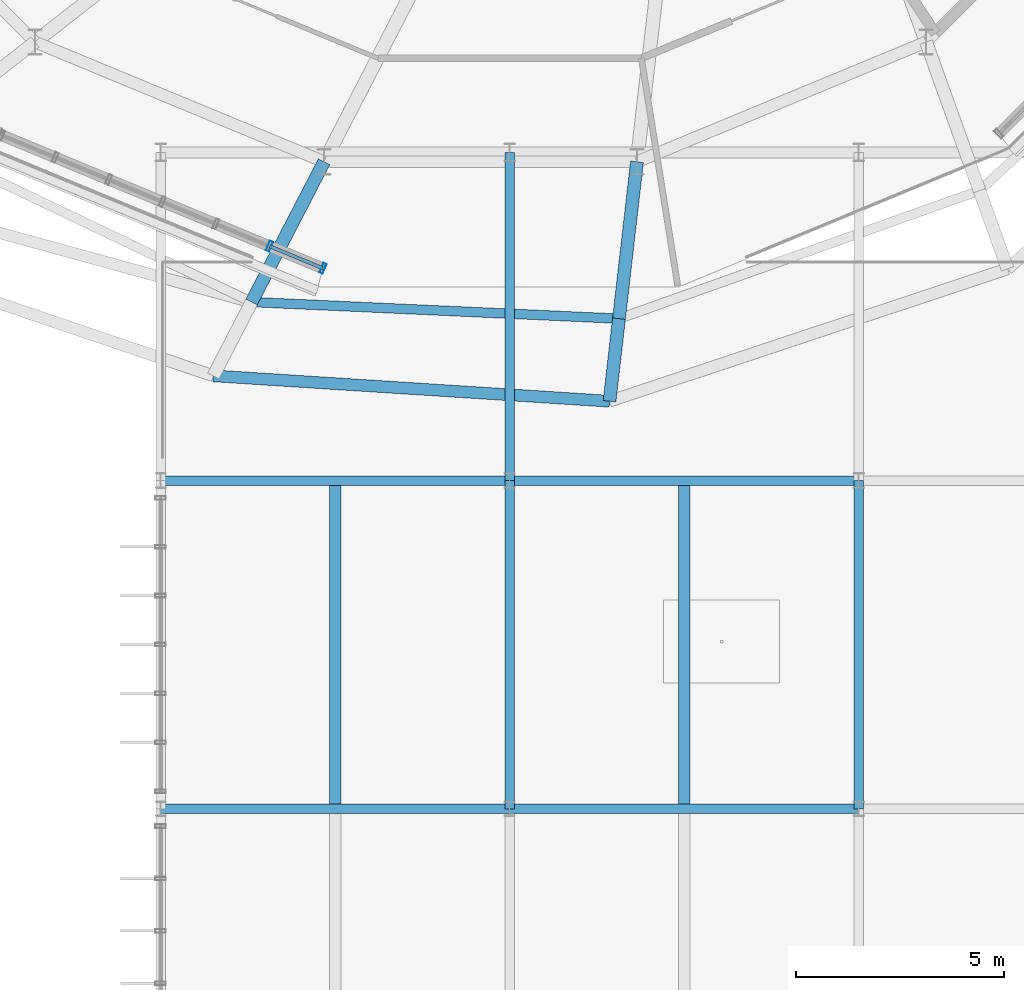
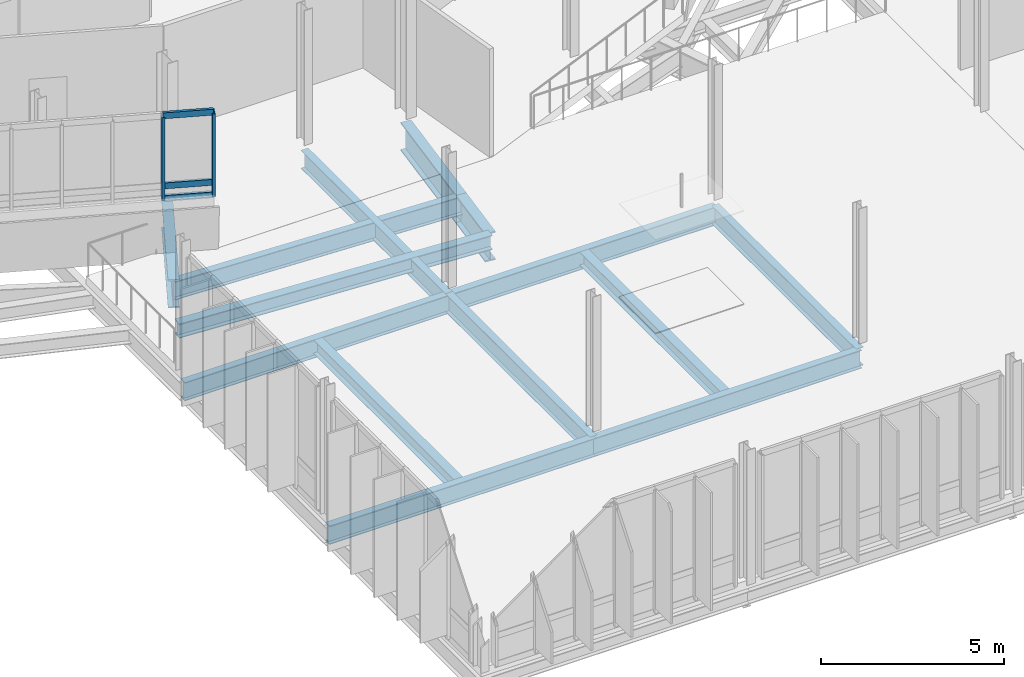
# One storey, part 29 of 139: 14 beams, 5 members, 1 element without a shape of its own.
"""IFC4 building model written with IfcOpenShell, lengths in metres."""

from ifc_helpers import new_model, si_unit, derived_unit, direction, frame, origin, origin_2d, place, context, subcontext, project, spatial, hollow_rectangle, i_section, extrude, material, layer, layer_set, material_profile, profile_set, type_object, element, aggregate, save


model = new_model("IFC4")

# Units and contexts
model_context = context("Model", 3, precision=1e-05, world=origin(), true_north=direction((0.0, 1.0)))
body_context = subcontext(model_context, "Body", "Model", "MODEL_VIEW")
ifc_project = project(units=[si_unit("LENGTHUNIT", "METRE"), si_unit("AREAUNIT", "SQUARE_METRE"), si_unit("VOLUMEUNIT", "CUBIC_METRE"), si_unit("PLANEANGLEUNIT", "RADIAN"), si_unit("MASSUNIT", "GRAM", prefix="KILO"), derived_unit("THERMALTRANSMITTANCEUNIT", [(si_unit("MASSUNIT", "GRAM", prefix="KILO"), 1), (si_unit("TIMEUNIT", "SECOND"), -3), (si_unit("THERMODYNAMICTEMPERATUREUNIT", "KELVIN"), -1)])], contexts=[model_context])

# Site, building, storey
site_placement = place(None, origin())
site = spatial("IfcSite", under=ifc_project, at=site_placement, CompositionType="ELEMENT")
building_placement = place(site_placement, origin())
building = spatial("IfcBuilding", under=site, at=building_placement, Name="Makaiwela Harbour Ferry Terminal", CompositionType="ELEMENT")
storey_placement = place(building_placement, frame((0.0, 0.0, 5.10009765625)))
storey = spatial("IfcBuildingStorey", under=building, at=storey_placement, Name="L01", CompositionType="ELEMENT", Elevation=5.10009765625)

# Curtain wall, members
ifc_material_1 = material(Name="Marine anodised aluminium 6063-T6", Category="aluminium")
ifc_layer = layer(ifc_material_1, 0.199951171875)
ifc_layer_set = layer_set([ifc_layer], Name="Marine anodised aluminium 6063-T6")
curtain_wall_type = type_object("IfcCurtainWallType", Name="ENV-CW-03", PredefinedType="USERDEFINED", material=ifc_layer_set)
curtain_wall_placement = place(storey_placement, origin())
curtain_wall = element("IfcCurtainWall", 1, at=curtain_wall_placement, inside=storey, type_object=curtain_wall_type, Name="Unitised Curtain Wall CWA-017", ObjectType="UNITIZED CURTAIN WALL", PredefinedType="USERDEFINED")
ifc_material_profile_1 = material_profile(ifc_material_1, hollow_rectangle(XDim=0.0849609375, YDim=0.25, WallThickness=0.0048828125, at=origin_2d()), Name="CWM-250X85")
ifc_profile_set_1 = profile_set([ifc_material_profile_1], Name="Marine anodised aluminium 6063-T6")
member_type_1 = type_object("IfcMemberType", Name="CW-MUL-250", PredefinedType="MULLION", material=ifc_profile_set_1)
member_1_placement = place(storey_placement, frame((32.019775390625, 47.14013671875, 1.47998046875), z_axis=(0.0, 0.0, 1.0), x_axis=(-0.923879532511, 0.382683432365, 0.0)))
member_1 = element("IfcMember", 2, at=member_1_placement, type_object=member_type_1, Name="Curtain Wall Mullion CWA-017-6", PredefinedType="MULLION", context=body_context, shape_type="SweptSolid", body=[
    extrude(hollow_rectangle(XDim=0.0849609375, YDim=0.25, WallThickness=0.0048828125, at=origin_2d()), origin(), (0.0, 0.0, 1.0), 2.760009765625),
])
member_2_placement = place(storey_placement, frame((33.308349609375, 46.6064453125, 1.47998046875), z_axis=(0.0, 0.0, 1.0), x_axis=(-0.923879532511, 0.382683432365, 0.0)))
member_2 = element("IfcMember", 3, at=member_2_placement, type_object=member_type_1, Name="Curtain Wall Mullion CWA-017-7", PredefinedType="MULLION", context=body_context, shape_type="SweptSolid", body=[
    extrude(hollow_rectangle(XDim=0.0849609375, YDim=0.25, WallThickness=0.0048828125, at=origin_2d()), origin(), (0.0, 0.0, 1.0), 2.760009765625),
])
ifc_material_profile_2 = material_profile(ifc_material_1, hollow_rectangle(XDim=0.0849609375, YDim=0.199951171875, WallThickness=0.0048828125, at=origin_2d()), Name="CWT-200X85")
ifc_profile_set_2 = profile_set([ifc_material_profile_2], Name="Marine anodised aluminium 6063-T6")
member_type_2 = type_object("IfcMemberType", Name="CW-TRN-200", PredefinedType="USERDEFINED", material=ifc_profile_set_2)
member_3_placement = place(storey_placement, frame((32.019775390625, 47.14013671875, 1.47998046875), z_axis=(0.923893096707, -0.382650683858, 0.0), x_axis=(0.382650683858, 0.923893096707, 0.0)))
member_3 = element("IfcMember", 4, at=member_3_placement, type_object=member_type_2, Name="Curtain Wall Transom CWA-017-6-1", ObjectType="TRANSOM", PredefinedType="USERDEFINED", context=body_context, shape_type="SweptSolid", body=[
    extrude(hollow_rectangle(XDim=0.0849609375, YDim=0.199951171875, WallThickness=0.0048828125, at=origin_2d()), origin(), (0.0, 0.0, 1.0), 1.394775390625),
])
member_4_placement = place(storey_placement, frame((32.019775390625, 47.14013671875, 1.89990234375), z_axis=(0.923893096707, -0.382650683858, 0.0), x_axis=(0.382650683858, 0.923893096707, 0.0)))
member_4 = element("IfcMember", 5, at=member_4_placement, type_object=member_type_2, Name="Curtain Wall Transom CWA-017-6-2", ObjectType="TRANSOM", PredefinedType="USERDEFINED", context=body_context, shape_type="SweptSolid", body=[
    extrude(hollow_rectangle(XDim=0.0849609375, YDim=0.199951171875, WallThickness=0.0048828125, at=origin_2d()), origin(), (0.0, 0.0, 1.0), 1.394775390625),
])
member_5_placement = place(storey_placement, frame((32.019775390625, 47.14013671875, 4.239990234375), z_axis=(0.923893096707, -0.382650683858, 0.0), x_axis=(0.382650683858, 0.923893096707, 0.0)))
member_5 = element("IfcMember", 6, at=member_5_placement, type_object=member_type_2, Name="Curtain Wall Transom CWA-017-6-3", ObjectType="TRANSOM", PredefinedType="USERDEFINED", context=body_context, shape_type="SweptSolid", body=[
    extrude(hollow_rectangle(XDim=0.0849609375, YDim=0.199951171875, WallThickness=0.0048828125, at=origin_2d()), origin(), (0.0, 0.0, 1.0), 1.394775390625),
])
aggregate(curtain_wall, [member_1, member_2, member_3, member_4, member_5])

# Beams
ifc_material_2 = material(Name="Steel ASTM A992 Grade 50", Category="steel")
ifc_material_profile_3 = material_profile(ifc_material_2, i_section(OverallWidth=0.280029296875, OverallDepth=0.462890625, WebThickness=0.0107421875, FlangeThickness=0.017333984375, at=origin_2d()), Name="W18X76")
ifc_profile_set_3 = profile_set([ifc_material_profile_3], Name="Steel ASTM A992 Grade 50")
beam_type_1 = type_object("IfcBeamType", Name="STR-BM-W18X76", PredefinedType="BEAM", material=ifc_profile_set_3)
for number, where, z_axis, x_axis, name in (
    (7, (33.60009765625, 33.696533203125, -0.51171875), (0.0, 1.0, 0.0), (-1.0, 0.0, 0.0), "Secondary floor beam 1064"),
    (8, (42.0, 33.696533203125, -0.51171875), (0.0, 1.0, 0.0), (-1.0, 0.0, 0.0), "Secondary floor beam 1066"),
):
    element("IfcBeam", number, at=place(storey_placement, frame(where, z_axis=z_axis, x_axis=x_axis)), inside=storey, type_object=beam_type_1, Name=name, PredefinedType="BEAM", context=body_context, shape_type="SweptSolid", body=[
        extrude(i_section(OverallWidth=0.280029296875, OverallDepth=0.462890625, WebThickness=0.0107421875, FlangeThickness=0.017333984375, at=origin_2d()), origin(), (0.0, 0.0, 1.0), 7.70703125),
    ])
ifc_material_profile_4 = material_profile(ifc_material_2, i_section(OverallWidth=0.22900390625, OverallDepth=0.612060546875, WebThickness=0.011962890625, FlangeThickness=0.01953125, at=origin_2d()), Name="W24X84")
ifc_profile_set_4 = profile_set([ifc_material_profile_4], Name="Steel ASTM A992 Grade 50")
beam_type_2 = type_object("IfcBeamType", Name="STR-GRD-W24X84", PredefinedType="USERDEFINED", material=ifc_profile_set_4)
beam_1_placement = place(storey_placement, frame((31.589599609375, 45.79541015625, -0.586181640625), z_axis=(0.998978864761, -0.045179948658, 0.0), x_axis=(0.045179948658, 0.998978864761, 0.0)))
element("IfcBeam", 9, at=beam_1_placement, inside=storey, type_object=beam_type_2, Name="Drum overhang tie girder 98", ObjectType="GIRDER", PredefinedType="USERDEFINED", context=body_context, shape_type="SweptSolid", body=[
    extrude(i_section(OverallWidth=0.22900390625, OverallDepth=0.612060546875, WebThickness=0.011962890625, FlangeThickness=0.01953125, at=origin_2d()), origin(), (0.0, 0.0, 1.0), 8.851318359375),
])
beam_2_placement = place(storey_placement, frame((29.39990234375, 33.60009765625, -0.586181640625), z_axis=(1.0, 0.0, 0.0), x_axis=(0.0, 1.0, 0.0)))
element("IfcBeam", 10, at=beam_2_placement, inside=storey, type_object=beam_type_2, Name="Primary X girder 779", ObjectType="GIRDER", PredefinedType="USERDEFINED", context=body_context, shape_type="SweptSolid", body=[
    extrude(i_section(OverallWidth=0.22900390625, OverallDepth=0.612060546875, WebThickness=0.011962890625, FlangeThickness=0.01953125, at=origin_2d()), origin(), (0.0, 0.0, 1.0), 8.400146484375),
])
beam_3_placement = place(storey_placement, frame((37.800048828125, 33.60009765625, -0.586181640625), z_axis=(1.0, 0.0, 0.0), x_axis=(0.0, 1.0, 0.0)))
element("IfcBeam", 11, at=beam_3_placement, inside=storey, type_object=beam_type_2, Name="Primary X girder 780", ObjectType="GIRDER", PredefinedType="USERDEFINED", context=body_context, shape_type="SweptSolid", body=[
    extrude(i_section(OverallWidth=0.22900390625, OverallDepth=0.612060546875, WebThickness=0.011962890625, FlangeThickness=0.01953125, at=origin_2d()), origin(), (0.0, 0.0, 1.0), 8.39990234375),
])
beam_4_placement = place(storey_placement, frame((29.39990234375, 41.5, -0.586181640625), z_axis=(1.0, 0.0, 0.0), x_axis=(0.0, 1.0, 0.0)))
element("IfcBeam", 12, at=beam_4_placement, inside=storey, type_object=beam_type_2, Name="Primary X girder 796", ObjectType="GIRDER", PredefinedType="USERDEFINED", context=body_context, shape_type="SweptSolid", body=[
    extrude(i_section(OverallWidth=0.22900390625, OverallDepth=0.612060546875, WebThickness=0.011962890625, FlangeThickness=0.01953125, at=origin_2d()), origin(), (0.0, 0.0, 1.0), 8.400146484375),
])
beam_5_placement = place(storey_placement, frame((37.800048828125, 41.5, -0.586181640625), z_axis=(1.0, 0.0, 0.0), x_axis=(0.0, 1.0, 0.0)))
element("IfcBeam", 13, at=beam_5_placement, inside=storey, type_object=beam_type_2, Name="Primary X girder 797", ObjectType="GIRDER", PredefinedType="USERDEFINED", context=body_context, shape_type="SweptSolid", body=[
    extrude(i_section(OverallWidth=0.22900390625, OverallDepth=0.612060546875, WebThickness=0.011962890625, FlangeThickness=0.01953125, at=origin_2d()), origin(), (0.0, 0.0, 1.0), 8.39990234375),
])
for number, where, z_axis, x_axis, name in (
    (14, (37.800048828125, 33.60009765625, -0.586181640625), (0.0, 1.0, 0.0), (-1.0, 0.0, 0.0), "Primary Y girder 911"),
    (15, (37.800048828125, 41.5, -0.586181640625), (0.0, 1.0, 0.0), (-1.0, 0.0, 0.0), "Primary Y girder 912"),
    (16, (46.199951171875, 33.60009765625, -0.586181640625), (0.0, 1.0, 0.0), (-1.0, 0.0, 0.0), "Primary Y girder 914"),
):
    element("IfcBeam", number, at=place(storey_placement, frame(where, z_axis=z_axis, x_axis=x_axis)), inside=storey, type_object=beam_type_2, Name=name, ObjectType="GIRDER", PredefinedType="USERDEFINED", context=body_context, shape_type="SweptSolid", body=[
        extrude(i_section(OverallWidth=0.22900390625, OverallDepth=0.612060546875, WebThickness=0.011962890625, FlangeThickness=0.01953125, at=origin_2d()), origin(), (0.0, 0.0, 1.0), 7.89990234375),
    ])
ifc_material_profile_5 = material_profile(ifc_material_2, i_section(OverallWidth=0.31005859375, OverallDepth=0.949951171875, WebThickness=0.0244140625, FlangeThickness=0.0439453125, at=origin_2d()), Name="W36X256")
ifc_profile_set_5 = profile_set([ifc_material_profile_5], Name="Steel ASTM A992 Grade 50")
beam_type_3 = type_object("IfcBeamType", Name="STR-GRD-W36X256", PredefinedType="USERDEFINED", material=ifc_profile_set_5)
beam_6_placement = place(storey_placement, frame((33.334716796875, 49.1708984375, -0.755126953125), z_axis=(-0.459251619931, -0.888306225122, 0.0), x_axis=(0.888306225122, -0.459251619931, 0.0)))
element("IfcBeam", 17, at=beam_6_placement, inside=storey, type_object=beam_type_3, Name="Drum radial overhang 64", ObjectType="GIRDER", PredefinedType="USERDEFINED", context=body_context, shape_type="SweptSolid", body=[
    extrude(i_section(OverallWidth=0.31005859375, OverallDepth=0.949951171875, WebThickness=0.0244140625, FlangeThickness=0.0439453125, at=origin_2d()), origin(), (0.0, 0.0, 1.0), 3.7998046875),
])
beam_7_placement = place(storey_placement, frame((40.865234375, 49.1708984375, -0.755126953125), z_axis=(-0.114033976295, -0.993476850385, 0.0), x_axis=(0.993476850385, -0.114033976295, 0.0)))
element("IfcBeam", 18, at=beam_7_placement, inside=storey, type_object=beam_type_3, Name="Drum radial overhang 67", ObjectType="GIRDER", PredefinedType="USERDEFINED", context=body_context, shape_type="SweptSolid", body=[
    extrude(i_section(OverallWidth=0.31005859375, OverallDepth=0.949951171875, WebThickness=0.0244140625, FlangeThickness=0.0439453125, at=origin_2d()), origin(), (0.0, 0.0, 1.0), 3.80029296875),
])
beam_8_placement = place(storey_placement, frame((40.431884765625, 45.3955078125, -0.755126953125), z_axis=(-0.114021712091, -0.993478258027, 0.0), x_axis=(0.993478258027, -0.114021712091, 0.0)))
element("IfcBeam", 19, at=beam_8_placement, inside=storey, type_object=beam_type_3, Name="Drum overhang radial girder 68", ObjectType="GIRDER", PredefinedType="USERDEFINED", context=body_context, shape_type="SweptSolid", body=[
    extrude(i_section(OverallWidth=0.31005859375, OverallDepth=0.949951171875, WebThickness=0.0244140625, FlangeThickness=0.0439453125, at=origin_2d()), origin(), (0.0, 0.0, 1.0), 1.999755859375),
])
ifc_material_profile_6 = material_profile(ifc_material_2, i_section(OverallWidth=0.283935546875, OverallDepth=0.47607421875, WebThickness=0.014892578125, FlangeThickness=0.02392578125, at=origin_2d()), Name="W18X106")
ifc_profile_set_6 = profile_set([ifc_material_profile_6], Name="Steel ASTM A992 Grade 50")
beam_type_4 = type_object("IfcBeamType", Name="STR-SPN-W18X106", PredefinedType="SPANDREL", material=ifc_profile_set_6)
beam_9_placement = place(storey_placement, frame((30.6708984375, 44.018798828125, -0.51806640625), z_axis=(0.99795828309, -0.063869125655, 0.0), x_axis=(0.063869125655, 0.99795828309, 0.0)))
element("IfcBeam", 20, at=beam_9_placement, inside=storey, type_object=beam_type_4, Name="Drum perimeter spandrel 111", PredefinedType="SPANDREL", context=body_context, shape_type="SweptSolid", body=[
    extrude(i_section(OverallWidth=0.283935546875, OverallDepth=0.47607421875, WebThickness=0.014892578125, FlangeThickness=0.02392578125, at=origin_2d()), origin(), (0.0, 0.0, 1.0), 9.552490234375),
])

save(model, "model.ifc")
